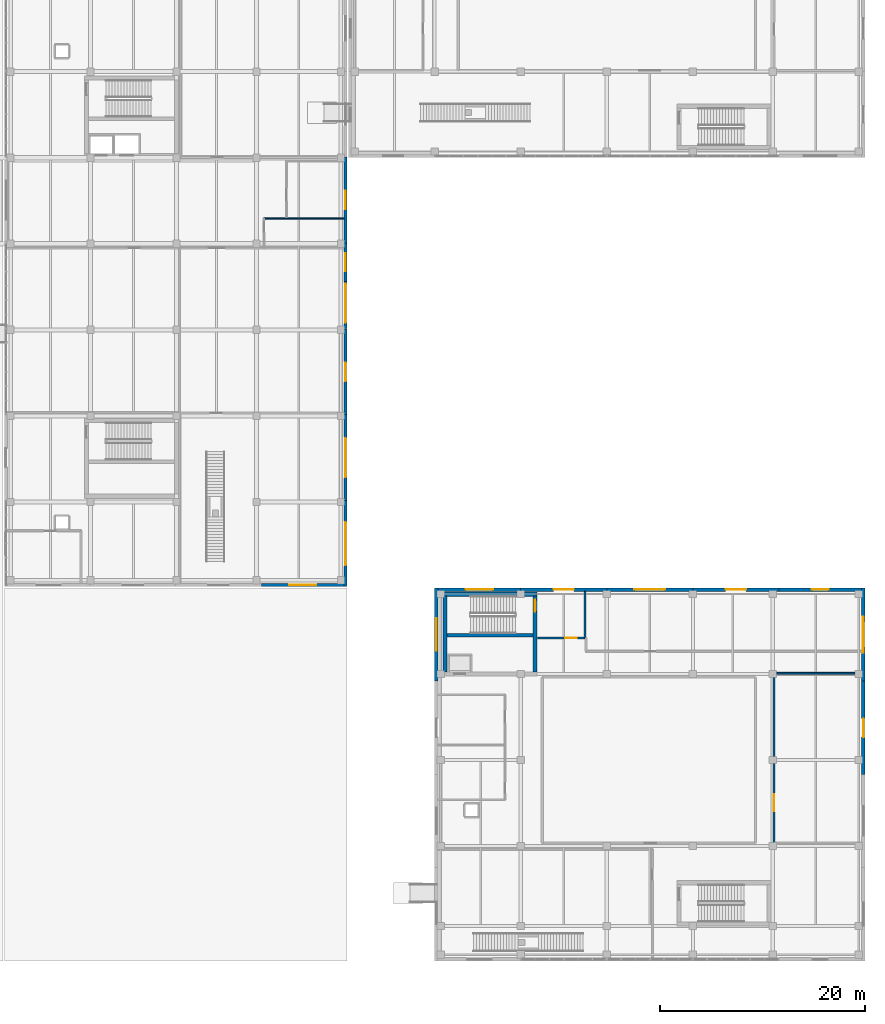
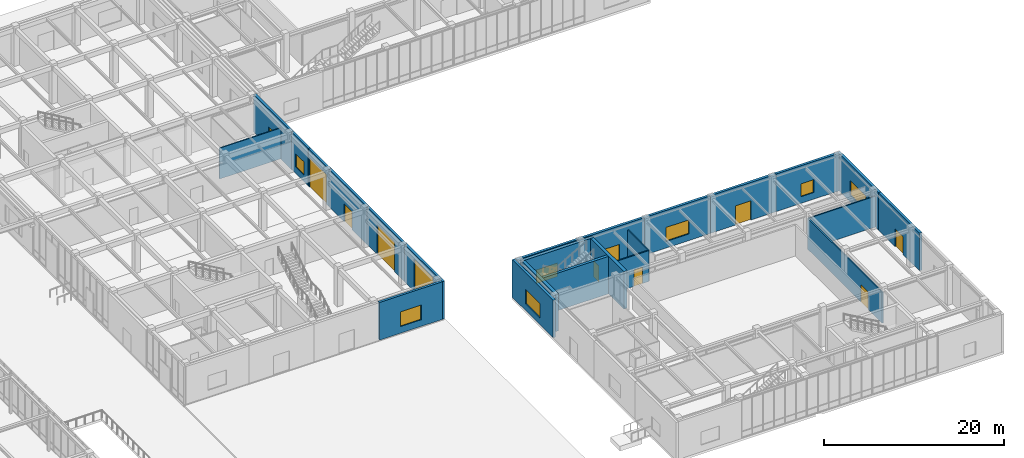
# One storey, part 101 of 122: 24 walls, 10 doors, 8 windows, 18 openings.
"""IFC4 building model written with IfcOpenShell, lengths in metres."""

from ifc_helpers import new_model, si_unit, direction, frame, frame_2d, origin, place, context, subcontext, project, spatial, rectangle, extrude, material, layer, layer_set, type_object, element, fill, save


model = new_model("IFC4")

# Units and contexts
model_context = context("Model", 3, precision=1e-05, world=origin(), true_north=direction((0.0, 1.0)))
body_context = subcontext(model_context, "Body", "Model", "MODEL_VIEW")
ifc_project = project(units=[si_unit("LENGTHUNIT", "METRE"), si_unit("AREAUNIT", "SQUARE_METRE"), si_unit("VOLUMEUNIT", "CUBIC_METRE"), si_unit("PLANEANGLEUNIT", "RADIAN"), si_unit("MASSUNIT", "GRAM", prefix="KILO")], contexts=[model_context])

# Site, building, storey
site_placement = place(None, origin())
site = spatial("IfcSite", under=ifc_project, at=site_placement, CompositionType="ELEMENT")
building_placement = place(site_placement, origin())
building = spatial("IfcBuilding", under=site, at=building_placement, Name="Zayran Congress Hotel", CompositionType="ELEMENT")
storey_placement = place(building_placement, origin())
storey = spatial("IfcBuildingStorey", under=building, at=storey_placement, Name="L00", CompositionType="ELEMENT", Elevation=0.0)

# Wall, opening, window
ifc_material_1 = material(Name="Ajlun white limestone and insulated concrete C32/40", Category="masonry")
ifc_layer_1 = layer(ifc_material_1, 0.320068359375)
ifc_layer_set_1 = layer_set([ifc_layer_1], Name="Ajlun white limestone and insulated concrete C32/40")
wall_type_1 = type_object("IfcWallType", Name="WL-EX-320", PredefinedType="SOLIDWALL", material=ifc_layer_set_1)
wall_1_placement = place(storey_placement, frame((151.52001953125, 42.239990234375, 0.0), z_axis=(0.0, 0.0, 1.0), x_axis=(1.0, 0.0, 0.0)))
wall_1 = element("IfcWall", 1, at=wall_1_placement, inside=storey, type_object=wall_type_1, Name="EW-V3-N-L00-0", PredefinedType="SOLIDWALL", context=body_context, shape_type="SweptSolid", body=[
    extrude(rectangle(XDim=8.080078125, YDim=0.320068359375, at=frame_2d((4.0400390625, 0.0))), origin(), (0.0, 0.0, 1.0), 5.10009765625),
])
opening_1_placement = place(wall_1_placement, frame((2.68994140625, 0.0, 0.89990234375)))
opening_1 = element("IfcOpeningElement", 2, at=opening_1_placement, cuts=wall_1, Name="Opening WN-04", PredefinedType="OPENING", context=body_context, shape_type="SweptSolid", body=[
    extrude(rectangle(XDim=2.699951171875, YDim=1.85009765625, at=frame_2d((1.35009765625, 0.925048828125))), frame((0.0, 0.169921875, 0.0), z_axis=(0.0, -1.0, 0.0), x_axis=(1.0, 0.0, 0.0)), (0.0, 0.0, 1.0), 0.340087890625),
])
ifc_material_2 = material(Name="Anodised aluminium and low-E insulated glass", Category="aluminium")
window_type_1 = type_object("IfcWindowType", Name="TP-WN-04", PartitioningType="TRIPLE_PANEL_VERTICAL", PredefinedType="WINDOW", material=ifc_material_2)
window_1_placement = place(opening_1_placement, origin())
window_1 = element("IfcWindow", 3, at=window_1_placement, inside=storey, type_object=window_type_1, Name="WIN-V3-0057", OverallHeight=1.85009765625, OverallWidth=2.699951171875, PartitioningType="SINGLE_PANEL", PredefinedType="WINDOW", context=body_context, shape_type="SweptSolid", body=[
    extrude(rectangle(XDim=2.699951171875, YDim=1.85009765625, at=frame_2d((1.35009765625, 0.925048828125))), frame((0.0, 0.030029296875, 0.0), z_axis=(0.0, -1.0, 0.0), x_axis=(1.0, 0.0, 0.0)), (0.0, 0.0, 1.0), 0.06005859375),
])
fill(opening_1, window_1)

# Wall, opening, door
wall_2_placement = place(storey_placement, frame((159.60009765625, 42.239990234375, 0.0), z_axis=(0.0, 0.0, 1.0), x_axis=(1.0, 0.0, 0.0)))
wall_2 = element("IfcWall", 4, at=wall_2_placement, inside=storey, type_object=wall_type_1, Name="EW-V3-N-L00-1", PredefinedType="SOLIDWALL", context=body_context, shape_type="SweptSolid", body=[
    extrude(rectangle(XDim=8.39990234375, YDim=0.320068359375, at=frame_2d((4.199951171875, 0.0))), origin(), (0.0, 0.0, 1.0), 5.10009765625),
])
opening_2_placement = place(wall_2_placement, frame((3.199951171875, 0.0, 0.0)))
opening_2 = element("IfcOpeningElement", 5, at=opening_2_placement, cuts=wall_2, Name="Opening DEX-02", PredefinedType="OPENING", context=body_context, shape_type="SweptSolid", body=[
    extrude(rectangle(XDim=2.0, YDim=2.60009765625, at=frame_2d((1.0, 1.300048828125))), frame((0.0, 0.169921875, 0.0), z_axis=(0.0, -1.0, 0.0), x_axis=(1.0, 0.0, 0.0)), (0.0, 0.0, 1.0), 0.340087890625),
])
ifc_material_3 = material(Name="Anodised aluminium glazed entrance door", Category="aluminium")
door_type_1 = type_object("IfcDoorType", Name="TP-DEX-02", OperationType="DOUBLE_DOOR_SINGLE_SWING", PredefinedType="DOOR", material=ifc_material_3)
door_1_placement = place(opening_2_placement, origin())
door_1 = element("IfcDoor", 6, at=door_1_placement, inside=storey, type_object=door_type_1, Name="V3 Exterior Entrance Door 15", OperationType="DOUBLE_DOOR_SINGLE_SWING", OverallHeight=2.60009765625, OverallWidth=2.0, PredefinedType="DOOR", context=body_context, shape_type="SweptSolid", body=[
    extrude(rectangle(XDim=2.0, YDim=2.60009765625, at=frame_2d((1.0, 1.300048828125))), frame((0.0, 0.02490234375, 0.0), z_axis=(0.0, -1.0, 0.0), x_axis=(1.0, 0.0, 0.0)), (0.0, 0.0, 1.0), 0.050048828125),
])
fill(opening_2, door_1)

# Wall, opening, window
wall_3_placement = place(storey_placement, frame((168.0, 42.239990234375, 0.0), z_axis=(0.0, 0.0, 1.0), x_axis=(1.0, 0.0, 0.0)))
wall_3 = element("IfcWall", 7, at=wall_3_placement, inside=storey, type_object=wall_type_1, Name="EW-V3-N-L00-2", PredefinedType="SOLIDWALL", context=body_context, shape_type="SweptSolid", body=[
    extrude(rectangle(XDim=8.39990234375, YDim=0.320068359375, at=frame_2d((4.199951171875, 0.0))), origin(), (0.0, 0.0, 1.0), 5.10009765625),
])
opening_3_placement = place(wall_3_placement, frame((2.699951171875, 0.0, 0.89990234375)))
opening_3 = element("IfcOpeningElement", 8, at=opening_3_placement, cuts=wall_3, Name="Opening WN-05", PredefinedType="OPENING", context=body_context, shape_type="SweptSolid", body=[
    extrude(rectangle(XDim=3.0, YDim=1.89990234375, at=frame_2d((1.5, 0.949951171875))), frame((0.0, 0.169921875, 0.0), z_axis=(0.0, -1.0, 0.0), x_axis=(1.0, 0.0, 0.0)), (0.0, 0.0, 1.0), 0.340087890625),
])
window_type_2 = type_object("IfcWindowType", Name="TP-WN-05", PartitioningType="TRIPLE_PANEL_VERTICAL", PredefinedType="WINDOW", material=ifc_material_2)
window_2_placement = place(opening_3_placement, origin())
window_2 = element("IfcWindow", 9, at=window_2_placement, inside=storey, type_object=window_type_2, Name="WIN-V3-0059", OverallHeight=1.89990234375, OverallWidth=3.0, PartitioningType="SINGLE_PANEL", PredefinedType="WINDOW", context=body_context, shape_type="SweptSolid", body=[
    extrude(rectangle(XDim=3.0, YDim=1.89990234375, at=frame_2d((1.5, 0.949951171875))), frame((0.0, 0.030029296875, 0.0), z_axis=(0.0, -1.0, 0.0), x_axis=(1.0, 0.0, 0.0)), (0.0, 0.0, 1.0), 0.06005859375),
])
fill(opening_3, window_2)

# Wall, opening, door
wall_4_placement = place(storey_placement, frame((176.39990234375, 42.239990234375, 0.0), z_axis=(0.0, 0.0, 1.0), x_axis=(1.0, 0.0, 0.0)))
wall_4 = element("IfcWall", 10, at=wall_4_placement, inside=storey, type_object=wall_type_1, Name="EW-V3-N-L00-3", PredefinedType="SOLIDWALL", context=body_context, shape_type="SweptSolid", body=[
    extrude(rectangle(XDim=8.400146484375, YDim=0.320068359375, at=frame_2d((4.2001953125, 0.0))), origin(), (0.0, 0.0, 1.0), 5.10009765625),
])
opening_4_placement = place(wall_4_placement, frame((3.199951171875, 0.0, 0.0)))
opening_4 = element("IfcOpeningElement", 11, at=opening_4_placement, cuts=wall_4, Name="Opening DEX-02", PredefinedType="OPENING", context=body_context, shape_type="SweptSolid", body=[
    extrude(rectangle(XDim=2.0, YDim=2.60009765625, at=frame_2d((1.0, 1.300048828125))), frame((0.0, 0.169921875, 0.0), z_axis=(0.0, -1.0, 0.0), x_axis=(1.0, 0.0, 0.0)), (0.0, 0.0, 1.0), 0.340087890625),
])
door_2_placement = place(opening_4_placement, origin())
door_2 = element("IfcDoor", 12, at=door_2_placement, inside=storey, type_object=door_type_1, Name="V3 Exterior Entrance Door 16", OperationType="DOUBLE_DOOR_SINGLE_SWING", OverallHeight=2.60009765625, OverallWidth=2.0, PredefinedType="DOOR", context=body_context, shape_type="SweptSolid", body=[
    extrude(rectangle(XDim=2.0, YDim=2.60009765625, at=frame_2d((1.0, 1.300048828125))), frame((0.0, 0.02490234375, 0.0), z_axis=(0.0, -1.0, 0.0), x_axis=(1.0, 0.0, 0.0)), (0.0, 0.0, 1.0), 0.050048828125),
])
fill(opening_4, door_2)

# Wall, opening, window
wall_5_placement = place(storey_placement, frame((184.800048828125, 42.239990234375, 0.0), z_axis=(0.0, 0.0, 1.0), x_axis=(1.0, 0.0, 0.0)))
wall_5 = element("IfcWall", 13, at=wall_5_placement, inside=storey, type_object=wall_type_1, Name="EW-V3-N-L00-4", PredefinedType="SOLIDWALL", context=body_context, shape_type="SweptSolid", body=[
    extrude(rectangle(XDim=8.079833984375, YDim=0.320068359375, at=frame_2d((4.0400390625, 0.0))), origin(), (0.0, 0.0, 1.0), 5.10009765625),
])
opening_5_placement = place(wall_5_placement, frame((3.215087890625, 0.0, 0.89990234375)))
opening_5 = element("IfcOpeningElement", 14, at=opening_5_placement, cuts=wall_5, Name="Opening WN-07", PredefinedType="OPENING", context=body_context, shape_type="SweptSolid", body=[
    extrude(rectangle(XDim=1.64990234375, YDim=1.75, at=frame_2d((0.824951171875, 0.875))), frame((0.0, 0.169921875, 0.0), z_axis=(0.0, -1.0, 0.0), x_axis=(1.0, 0.0, 0.0)), (0.0, 0.0, 1.0), 0.340087890625),
])
window_type_3 = type_object("IfcWindowType", Name="TP-WN-07", PartitioningType="SINGLE_PANEL", PredefinedType="WINDOW", material=ifc_material_2)
window_3_placement = place(opening_5_placement, origin())
window_3 = element("IfcWindow", 15, at=window_3_placement, inside=storey, type_object=window_type_3, Name="WIN-V3-0062", OverallHeight=1.75, OverallWidth=1.64990234375, PartitioningType="SINGLE_PANEL", PredefinedType="WINDOW", context=body_context, shape_type="SweptSolid", body=[
    extrude(rectangle(XDim=1.64990234375, YDim=1.75, at=frame_2d((0.824951171875, 0.875))), frame((0.0, 0.030029296875, 0.0), z_axis=(0.0, -1.0, 0.0), x_axis=(1.0, 0.0, 0.0)), (0.0, 0.0, 1.0), 0.06005859375),
])
fill(opening_5, window_3)

# Wall, opening, door
wall_6_placement = place(storey_placement, frame((193.0400390625, 33.300048828125, 0.0), z_axis=(0.0, 0.0, 1.0), x_axis=(0.0, -1.0, 0.0)))
wall_6 = element("IfcWall", 16, at=wall_6_placement, inside=storey, type_object=wall_type_1, Name="EW-V3-E-L00-2", PredefinedType="SOLIDWALL", context=body_context, shape_type="SweptSolid", body=[
    extrude(rectangle(XDim=9.10009765625, YDim=0.320068359375, at=frame_2d((4.550048828125, 0.0))), origin(), (0.0, 0.0, 1.0), 5.10009765625),
])
opening_6_placement = place(wall_6_placement, frame((3.64990234375, 0.0, 0.0)))
opening_6 = element("IfcOpeningElement", 17, at=opening_6_placement, cuts=wall_6, Name="Opening DEX-03", PredefinedType="OPENING", context=body_context, shape_type="SweptSolid", body=[
    extrude(rectangle(XDim=1.800048828125, YDim=2.39990234375, at=frame_2d((0.89990234375, 1.199951171875))), frame((0.0, 0.169921875, 0.0), z_axis=(0.0, -1.0, 0.0), x_axis=(1.0, 0.0, 0.0)), (0.0, 0.0, 1.0), 0.340087890625),
])
ifc_material_4 = material(Name="Painted steel fire exit door assembly", Category="steel")
door_type_2 = type_object("IfcDoorType", Name="TP-DEX-03", OperationType="DOUBLE_DOOR_SINGLE_SWING", PredefinedType="DOOR", material=ifc_material_4)
door_3_placement = place(opening_6_placement, origin())
door_3 = element("IfcDoor", 18, at=door_3_placement, inside=storey, type_object=door_type_2, Name="V3 Side Final Exit Door 18", OperationType="DOUBLE_DOOR_SINGLE_SWING", OverallHeight=2.39990234375, OverallWidth=1.800048828125, PredefinedType="DOOR", context=body_context, shape_type="SweptSolid", body=[
    extrude(rectangle(XDim=1.800048828125, YDim=2.39990234375, at=frame_2d((0.89990234375, 1.199951171875))), frame((0.0, 0.02490234375, 0.0), z_axis=(0.0, -1.0, 0.0), x_axis=(1.0, 0.0, 0.0)), (0.0, 0.0, 1.0), 0.050048828125),
])
fill(opening_6, door_3)

# Wall, opening, window
wall_7_placement = place(storey_placement, frame((151.360107421875, 33.300048828125, 0.0), z_axis=(0.0, 0.0, 1.0), x_axis=(0.0, 1.0, 0.0)))
wall_7 = element("IfcWall", 19, at=wall_7_placement, inside=storey, type_object=wall_type_1, Name="EW-V3-W-L00-3", PredefinedType="SOLIDWALL", context=body_context, shape_type="SweptSolid", body=[
    extrude(rectangle(XDim=9.099853515625, YDim=0.320068359375, at=frame_2d((4.5498046875, 0.0))), origin(), (0.0, 0.0, 1.0), 5.10009765625),
])
opening_7_placement = place(wall_7_placement, frame((2.949951171875, 0.0, 0.89990234375)))
opening_7 = element("IfcOpeningElement", 20, at=opening_7_placement, cuts=wall_7, Name="Opening WN-12", PredefinedType="OPENING", context=body_context, shape_type="SweptSolid", body=[
    extrude(rectangle(XDim=3.199951171875, YDim=1.949951171875, at=frame_2d((1.60009765625, 0.97509765625))), frame((0.0, 0.169921875, 0.0), z_axis=(0.0, -1.0, 0.0), x_axis=(1.0, 0.0, 0.0)), (0.0, 0.0, 1.0), 0.340087890625),
])
window_type_4 = type_object("IfcWindowType", Name="TP-WN-12", PartitioningType="TRIPLE_PANEL_VERTICAL", PredefinedType="WINDOW", material=ifc_material_2)
window_4_placement = place(opening_7_placement, origin())
window_4 = element("IfcWindow", 21, at=window_4_placement, inside=storey, type_object=window_type_4, Name="WIN-V3-0069", OverallHeight=1.949951171875, OverallWidth=3.199951171875, PartitioningType="SINGLE_PANEL", PredefinedType="WINDOW", context=body_context, shape_type="SweptSolid", body=[
    extrude(rectangle(XDim=3.199951171875, YDim=1.949951171875, at=frame_2d((1.60009765625, 0.97509765625))), frame((0.0, 0.030029296875, 0.0), z_axis=(0.0, -1.0, 0.0), x_axis=(1.0, 0.0, 0.0)), (0.0, 0.0, 1.0), 0.06005859375),
])
fill(opening_7, window_4)

wall_8_placement = place(storey_placement, frame((193.0400390625, 42.39990234375, 0.0), z_axis=(0.0, 0.0, 1.0), x_axis=(0.0, -1.0, 0.0)))
wall_8 = element("IfcWall", 22, at=wall_8_placement, inside=storey, type_object=wall_type_1, Name="EW-V3-E-L00-3", PredefinedType="SOLIDWALL", context=body_context, shape_type="SweptSolid", body=[
    extrude(rectangle(XDim=9.099853515625, YDim=0.320068359375, at=frame_2d((4.5498046875, 0.0))), origin(), (0.0, 0.0, 1.0), 5.10009765625),
])
opening_8_placement = place(wall_8_placement, frame((2.800048828125, 0.0, 0.89990234375)))
opening_8 = element("IfcOpeningElement", 23, at=opening_8_placement, cuts=wall_8, Name="Opening WN-13", PredefinedType="OPENING", context=body_context, shape_type="SweptSolid", body=[
    extrude(rectangle(XDim=3.5, YDim=2.0, at=frame_2d((1.75, 1.0))), frame((0.0, 0.169921875, 0.0), z_axis=(0.0, -1.0, 0.0), x_axis=(1.0, 0.0, 0.0)), (0.0, 0.0, 1.0), 0.340087890625),
])
window_type_5 = type_object("IfcWindowType", Name="TP-WN-13", PartitioningType="TRIPLE_PANEL_VERTICAL", PredefinedType="WINDOW", material=ifc_material_2)
window_5_placement = place(opening_8_placement, origin())
window_5 = element("IfcWindow", 24, at=window_5_placement, inside=storey, type_object=window_type_5, Name="WIN-V3-0070", OverallHeight=2.0, OverallWidth=3.5, PartitioningType="SINGLE_PANEL", PredefinedType="WINDOW", context=body_context, shape_type="SweptSolid", body=[
    extrude(rectangle(XDim=3.5, YDim=2.0, at=frame_2d((1.75, 1.0))), frame((0.0, 0.030029296875, 0.0), z_axis=(0.0, -1.0, 0.0), x_axis=(1.0, 0.0, 0.0)), (0.0, 0.0, 1.0), 0.06005859375),
])
fill(opening_8, window_5)

ifc_layer_2 = layer(ifc_material_1, 0.300048828125)
ifc_layer_set_2 = layer_set([ifc_layer_2], Name="Ajlun white limestone and insulated concrete C32/40")
wall_type_2 = type_object("IfcWallType", Name="WL-EX-300", PredefinedType="SOLIDWALL", material=ifc_layer_set_2)
wall_9_placement = place(storey_placement, frame((142.35009765625, 42.699951171875, 0.0), z_axis=(0.0, 0.0, 1.0), x_axis=(-1.0, 0.0, 0.0)))
wall_9 = element("IfcWall", 25, at=wall_9_placement, inside=storey, type_object=wall_type_2, Name="EW-V4-S-L00-3", PredefinedType="SOLIDWALL", context=body_context, shape_type="SweptSolid", body=[
    extrude(rectangle(XDim=8.06298828125, YDim=0.300048828125, at=frame_2d((4.031494140625, 0.0))), origin(), (0.0, 0.0, 1.0), 5.10009765625),
])
opening_9_placement = place(wall_9_placement, frame((2.70703125, 0.0, 0.89990234375)))
opening_9 = element("IfcOpeningElement", 26, at=opening_9_placement, cuts=wall_9, Name="Opening WN-43", PredefinedType="OPENING", context=body_context, shape_type="SweptSolid", body=[
    extrude(rectangle(XDim=2.64990234375, YDim=2.0, at=frame_2d((1.324951171875, 1.0))), frame((0.0, 0.159912109375, 0.0), z_axis=(0.0, -1.0, 0.0), x_axis=(1.0, 0.0, 0.0)), (0.0, 0.0, 1.0), 0.320068359375),
])
window_type_6 = type_object("IfcWindowType", Name="TP-WN-43", PartitioningType="TRIPLE_PANEL_VERTICAL", PredefinedType="WINDOW", material=ifc_material_2)
window_6_placement = place(opening_9_placement, origin())
window_6 = element("IfcWindow", 27, at=window_6_placement, inside=storey, type_object=window_type_6, Name="WIN-V4-0105", OverallHeight=2.0, OverallWidth=2.64990234375, PartitioningType="SINGLE_PANEL", PredefinedType="WINDOW", context=body_context, shape_type="SweptSolid", body=[
    extrude(rectangle(XDim=2.64990234375, YDim=2.0, at=frame_2d((1.324951171875, 1.0))), frame((0.0, 0.030029296875, 0.0), z_axis=(0.0, -1.0, 0.0), x_axis=(1.0, 0.0, 0.0)), (0.0, 0.0, 1.0), 0.06005859375),
])
fill(opening_9, window_6)

# Wall, opening, door
wall_10_placement = place(storey_placement, frame((142.5, 50.930908203125, 0.0), z_axis=(0.0, 0.0, 1.0), x_axis=(0.0, -1.0, 0.0)))
wall_10 = element("IfcWall", 28, at=wall_10_placement, inside=storey, type_object=wall_type_2, Name="EW-V4-E-L00-0", PredefinedType="SOLIDWALL", context=body_context, shape_type="SweptSolid", body=[
    extrude(rectangle(XDim=8.380859375, YDim=0.300048828125, at=frame_2d((4.1904296875, 0.0))), origin(), (0.0, 0.0, 1.0), 5.10009765625),
])
opening_10_placement = place(wall_10_placement, frame((2.091064453125, 0.0, 0.0)))
opening_10 = element("IfcOpeningElement", 29, at=opening_10_placement, cuts=wall_10, Name="Opening VG-02", PredefinedType="OPENING", context=body_context, shape_type="SweptSolid", body=[
    extrude(rectangle(XDim=4.199951171875, YDim=4.39990234375, at=frame_2d((2.10009765625, 2.199951171875))), frame((0.0, 0.159912109375, 0.0), z_axis=(0.0, -1.0, 0.0), x_axis=(1.0, 0.0, 0.0)), (0.0, 0.0, 1.0), 0.320068359375),
])
ifc_material_5 = material(Name="Galvanised steel insulated roller shutter", Category="steel")
door_type_3 = type_object("IfcDoorType", Name="TP-VG-02", OperationType="ROLLINGUP", PredefinedType="GATE", material=ifc_material_5)
door_4_placement = place(opening_10_placement, origin())
door_4 = element("IfcDoor", 30, at=door_4_placement, inside=storey, type_object=door_type_3, Name="Loading Dock Vehicle Shutter 1", OperationType="ROLLINGUP", OverallHeight=4.39990234375, OverallWidth=4.199951171875, PredefinedType="GATE", context=body_context, shape_type="SweptSolid", body=[
    extrude(rectangle(XDim=4.199951171875, YDim=4.39990234375, at=frame_2d((2.10009765625, 2.199951171875))), frame((0.0, 0.02490234375, 0.0), z_axis=(0.0, -1.0, 0.0), x_axis=(1.0, 0.0, 0.0)), (0.0, 0.0, 1.0), 0.050048828125),
])
fill(opening_10, door_4)

wall_11_placement = place(storey_placement, frame((142.5, 59.31201171875, 0.0), z_axis=(0.0, 0.0, 1.0), x_axis=(0.0, -1.0, 0.0)))
wall_11 = element("IfcWall", 31, at=wall_11_placement, inside=storey, type_object=wall_type_2, Name="EW-V4-E-L00-1", PredefinedType="SOLIDWALL", context=body_context, shape_type="SweptSolid", body=[
    extrude(rectangle(XDim=8.381103515625, YDim=0.300048828125, at=frame_2d((4.1904296875, 0.0))), origin(), (0.0, 0.0, 1.0), 5.10009765625),
])
opening_11_placement = place(wall_11_placement, frame((2.291015625, 0.0, 0.0)))
opening_11 = element("IfcOpeningElement", 32, at=opening_11_placement, cuts=wall_11, Name="Opening VG-03", PredefinedType="OPENING", context=body_context, shape_type="SweptSolid", body=[
    extrude(rectangle(XDim=3.800048828125, YDim=4.0, at=frame_2d((1.89990234375, 2.0))), frame((0.0, 0.159912109375, 0.0), z_axis=(0.0, -1.0, 0.0), x_axis=(1.0, 0.0, 0.0)), (0.0, 0.0, 1.0), 0.320068359375),
])
door_type_4 = type_object("IfcDoorType", Name="TP-VG-03", OperationType="ROLLINGUP", PredefinedType="GATE", material=ifc_material_5)
door_5_placement = place(opening_11_placement, origin())
door_5 = element("IfcDoor", 33, at=door_5_placement, inside=storey, type_object=door_type_4, Name="Loading Dock Vehicle Shutter 2", OperationType="ROLLINGUP", OverallHeight=4.0, OverallWidth=3.800048828125, PredefinedType="GATE", context=body_context, shape_type="SweptSolid", body=[
    extrude(rectangle(XDim=3.800048828125, YDim=4.0, at=frame_2d((1.89990234375, 2.0))), frame((0.0, 0.02490234375, 0.0), z_axis=(0.0, -1.0, 0.0), x_axis=(1.0, 0.0, 0.0)), (0.0, 0.0, 1.0), 0.050048828125),
])
fill(opening_11, door_5)

wall_12_placement = place(storey_placement, frame((142.5, 67.694091796875, 0.0), z_axis=(0.0, 0.0, 1.0), x_axis=(0.0, -1.0, 0.0)))
wall_12 = element("IfcWall", 34, at=wall_12_placement, inside=storey, type_object=wall_type_2, Name="EW-V4-E-L00-2", PredefinedType="SOLIDWALL", context=body_context, shape_type="SweptSolid", body=[
    extrude(rectangle(XDim=8.382080078125, YDim=0.300048828125, at=frame_2d((4.19091796875, 0.0))), origin(), (0.0, 0.0, 1.0), 5.10009765625),
])
opening_12_placement = place(wall_12_placement, frame((3.291015625, 0.0, 0.0)))
opening_12 = element("IfcOpeningElement", 35, at=opening_12_placement, cuts=wall_12, Name="Opening DEX-03", PredefinedType="OPENING", context=body_context, shape_type="SweptSolid", body=[
    extrude(rectangle(XDim=1.800048828125, YDim=2.39990234375, at=frame_2d((0.89990234375, 1.199951171875))), frame((0.0, 0.159912109375, 0.0), z_axis=(0.0, -1.0, 0.0), x_axis=(1.0, 0.0, 0.0)), (0.0, 0.0, 1.0), 0.320068359375),
])
door_6_placement = place(opening_12_placement, origin())
door_6 = element("IfcDoor", 36, at=door_6_placement, inside=storey, type_object=door_type_2, Name="V4 Side Final Exit Door 27", OperationType="DOUBLE_DOOR_SINGLE_SWING", OverallHeight=2.39990234375, OverallWidth=1.800048828125, PredefinedType="DOOR", context=body_context, shape_type="SweptSolid", body=[
    extrude(rectangle(XDim=1.800048828125, YDim=2.39990234375, at=frame_2d((0.89990234375, 1.199951171875))), frame((0.0, 0.02490234375, 0.0), z_axis=(0.0, -1.0, 0.0), x_axis=(1.0, 0.0, 0.0)), (0.0, 0.0, 1.0), 0.050048828125),
])
fill(opening_12, door_6)

# Wall, opening, window
wall_13_placement = place(storey_placement, frame((142.5, 76.074951171875, 0.0), z_axis=(0.0, 0.0, 1.0), x_axis=(0.0, -1.0, 0.0)))
wall_13 = element("IfcWall", 37, at=wall_13_placement, inside=storey, type_object=wall_type_2, Name="EW-V4-E-L00-3", PredefinedType="SOLIDWALL", context=body_context, shape_type="SweptSolid", body=[
    extrude(rectangle(XDim=3.7548828125, YDim=0.300048828125, at=frame_2d((1.87744140625, 0.0))), origin(), (0.0, 0.0, 1.0), 5.10009765625),
])
opening_13_placement = place(wall_13_placement, frame((0.97802734375, 0.0, 0.89990234375)))
opening_13 = element("IfcOpeningElement", 38, at=opening_13_placement, cuts=wall_13, Name="Opening WN-01", PredefinedType="OPENING", context=body_context, shape_type="SweptSolid", body=[
    extrude(rectangle(XDim=1.800048828125, YDim=1.800048828125, at=frame_2d((0.89990234375, 0.89990234375))), frame((0.0, 0.159912109375, 0.0), z_axis=(0.0, -1.0, 0.0), x_axis=(1.0, 0.0, 0.0)), (0.0, 0.0, 1.0), 0.320068359375),
])
window_type_7 = type_object("IfcWindowType", Name="TP-WN-01", PartitioningType="SINGLE_PANEL", PredefinedType="WINDOW", material=ifc_material_2)
window_7_placement = place(opening_13_placement, origin())
window_7 = element("IfcWindow", 39, at=window_7_placement, inside=storey, type_object=window_type_7, Name="WIN-V4-0111", OverallHeight=1.800048828125, OverallWidth=1.800048828125, PartitioningType="SINGLE_PANEL", PredefinedType="WINDOW", context=body_context, shape_type="SweptSolid", body=[
    extrude(rectangle(XDim=1.800048828125, YDim=1.800048828125, at=frame_2d((0.89990234375, 0.89990234375))), frame((0.0, 0.030029296875, 0.0), z_axis=(0.0, -1.0, 0.0), x_axis=(1.0, 0.0, 0.0)), (0.0, 0.0, 1.0), 0.06005859375),
])
fill(opening_13, window_7)

wall_14_placement = place(storey_placement, frame((142.5, 84.4560546875, 0.0), z_axis=(0.0, 0.0, 1.0), x_axis=(0.0, -1.0, 0.0)))
wall_14 = element("IfcWall", 40, at=wall_14_placement, inside=storey, type_object=wall_type_2, Name="EW-V4-E-L00-4", PredefinedType="SOLIDWALL", context=body_context, shape_type="SweptSolid", body=[
    extrude(rectangle(XDim=8.381103515625, YDim=0.300048828125, at=frame_2d((4.1904296875, 0.0))), origin(), (0.0, 0.0, 1.0), 5.10009765625),
])
opening_14_placement = place(wall_14_placement, frame((3.291015625, 0.0, 0.89990234375)))
opening_14 = element("IfcOpeningElement", 41, at=opening_14_placement, cuts=wall_14, Name="Opening WN-01", PredefinedType="OPENING", context=body_context, shape_type="SweptSolid", body=[
    extrude(rectangle(XDim=1.800048828125, YDim=1.800048828125, at=frame_2d((0.89990234375, 0.89990234375))), frame((0.0, 0.159912109375, 0.0), z_axis=(0.0, -1.0, 0.0), x_axis=(1.0, 0.0, 0.0)), (0.0, 0.0, 1.0), 0.320068359375),
])
window_8_placement = place(opening_14_placement, origin())
window_8 = element("IfcWindow", 42, at=window_8_placement, inside=storey, type_object=window_type_7, Name="WIN-V4-0113", OverallHeight=1.800048828125, OverallWidth=1.800048828125, PartitioningType="SINGLE_PANEL", PredefinedType="WINDOW", context=body_context, shape_type="SweptSolid", body=[
    extrude(rectangle(XDim=1.800048828125, YDim=1.800048828125, at=frame_2d((0.89990234375, 0.89990234375))), frame((0.0, 0.030029296875, 0.0), z_axis=(0.0, -1.0, 0.0), x_axis=(1.0, 0.0, 0.0)), (0.0, 0.0, 1.0), 0.06005859375),
])
fill(opening_14, window_8)

# Wall, opening, door
wall_15_placement = place(storey_placement, frame((142.5, 67.7099609375, 0.0), z_axis=(0.0, 0.0, 1.0), x_axis=(0.0, 1.0, 0.0)))
wall_15 = element("IfcWall", 43, at=wall_15_placement, inside=storey, type_object=wall_type_2, Name="WL-PRT-04", PredefinedType="SOLIDWALL", context=body_context, shape_type="SweptSolid", body=[
    extrude(rectangle(XDim=4.590087890625, YDim=0.300048828125, at=frame_2d((2.294921875, 0.0))), origin(), (0.0, 0.0, 1.0), 5.10009765625),
])
opening_15_placement = place(wall_15_placement, frame((0.590087890625, 0.0, 0.0)))
opening_15 = element("IfcOpeningElement", 44, at=opening_15_placement, cuts=wall_15, Name="Opening VG-03", PredefinedType="OPENING", context=body_context, shape_type="SweptSolid", body=[
    extrude(rectangle(XDim=3.800048828125, YDim=4.0, at=frame_2d((1.89990234375, 2.0))), frame((0.0, 0.159912109375, 0.0), z_axis=(0.0, -1.0, 0.0), x_axis=(1.0, 0.0, 0.0)), (0.0, 0.0, 1.0), 0.320068359375),
])
door_7_placement = place(opening_15_placement, origin())
door_7 = element("IfcDoor", 45, at=door_7_placement, inside=storey, type_object=door_type_4, Name="Kitchen Service Apron Shutter", OperationType="ROLLINGUP", OverallHeight=4.0, OverallWidth=3.800048828125, PredefinedType="GATE", context=body_context, shape_type="SweptSolid", body=[
    extrude(rectangle(XDim=3.800048828125, YDim=4.0, at=frame_2d((1.89990234375, 2.0))), frame((0.0, 0.02490234375, 0.0), z_axis=(0.0, -1.0, 0.0), x_axis=(1.0, 0.0, 0.0)), (0.0, 0.0, 1.0), 0.050048828125),
])
fill(opening_15, door_7)

# Walls
ifc_material_6 = material(Name="Concrete C40/50", Category="concrete")
ifc_layer_3 = layer(ifc_material_6, 0.39990234375)
ifc_layer_set_3 = layer_set([ifc_layer_3], Name="Concrete C40/50")
wall_type_3 = type_object("IfcWallType", Name="WL-SH-400", PredefinedType="SHEAR", material=ifc_layer_set_3)
wall_16_placement = place(storey_placement, frame((161.199951171875, 41.784912109375, 0.0), z_axis=(0.0, 0.0, 1.0), x_axis=(-1.0, 0.0, 0.0)))
element("IfcWall", 46, at=wall_16_placement, inside=storey, type_object=wall_type_3, Name="CWALL-C-V3W-L00-N", PredefinedType="SHEAR", context=body_context, shape_type="SweptSolid", body=[
    extrude(rectangle(XDim=9.199951171875, YDim=0.39990234375, at=frame_2d((4.60009765625, 0.0))), origin(), (0.0, 0.0, 1.0), 5.080078125),
])
wall_17_placement = place(storey_placement, frame((152.199951171875, 41.60009765625, 0.0), z_axis=(0.0, 0.0, 1.0), x_axis=(0.0, -1.0, 0.0)))
element("IfcWall", 47, at=wall_17_placement, inside=storey, type_object=wall_type_3, Name="CWALL-C-V3W-L00-W", PredefinedType="SHEAR", context=body_context, shape_type="SweptSolid", body=[
    extrude(rectangle(XDim=7.400146484375, YDim=0.39990234375, at=frame_2d((3.7001953125, 0.0))), origin(), (0.0, 0.0, 1.0), 5.080078125),
])

# Wall, opening, door
wall_18_placement = place(storey_placement, frame((161.0, 34.199951171875, 0.0), z_axis=(0.0, 0.0, 1.0), x_axis=(0.0, 1.0, 0.0)))
wall_18 = element("IfcWall", 48, at=wall_18_placement, inside=storey, type_object=wall_type_3, Name="CWALL-C-V3W-L00-E", PredefinedType="SHEAR", context=body_context, shape_type="SweptSolid", body=[
    extrude(rectangle(XDim=7.400146484375, YDim=0.39990234375, at=frame_2d((3.7001953125, 0.0))), origin(), (0.0, 0.0, 1.0), 5.080078125),
])
opening_16_placement = place(wall_18_placement, frame((5.89990234375, 0.0, 0.0)))
opening_16 = element("IfcOpeningElement", 49, at=opening_16_placement, cuts=wall_18, Name="Opening DR-FD-90", PredefinedType="OPENING", context=body_context, shape_type="SweptSolid", body=[
    extrude(rectangle(XDim=1.14990234375, YDim=2.199951171875, at=frame_2d((0.574951171875, 1.10009765625))), frame((0.0, 0.2099609375, 0.0), z_axis=(0.0, -1.0, 0.0), x_axis=(1.0, 0.0, 0.0)), (0.0, 0.0, 1.0), 0.419921875),
])
ifc_material_7 = material(Name="Painted steel fire door assembly", Category="steel")
door_type_5 = type_object("IfcDoorType", Name="TP-DR-FD-90", OperationType="NOTDEFINED", PredefinedType="DOOR", material=ifc_material_7)
door_8_placement = place(opening_16_placement, origin())
door_8 = element("IfcDoor", 50, at=door_8_placement, inside=storey, type_object=door_type_5, Name="ST-11 Exit Stair Door L00", OperationType="SINGLE_SWING_RIGHT", OverallHeight=2.199951171875, OverallWidth=1.14990234375, PredefinedType="DOOR", context=body_context, shape_type="SweptSolid", body=[
    extrude(rectangle(XDim=1.14990234375, YDim=2.199951171875, at=frame_2d((0.574951171875, 1.10009765625))), frame((0.0, 0.02490234375, 0.0), z_axis=(0.0, -1.0, 0.0), x_axis=(1.0, 0.0, 0.0)), (0.0, 0.0, 1.0), 0.050048828125),
])
fill(opening_16, door_8)

# Wall
ifc_layer_4 = layer(ifc_material_6, 0.35009765625)
ifc_layer_set_4 = layer_set([ifc_layer_4], Name="Concrete C40/50")
wall_type_4 = type_object("IfcWallType", Name="WL-SH-350", PredefinedType="SHEAR", material=ifc_layer_set_4)
wall_19_placement = place(storey_placement, frame((152.39990234375, 37.784912109375, 0.0), z_axis=(0.0, 0.0, 1.0), x_axis=(1.0, 0.0, 0.0)))
element("IfcWall", 51, at=wall_19_placement, inside=storey, type_object=wall_type_4, Name="CWALL-C-V3W-L00-SPN", PredefinedType="SHEAR", context=body_context, shape_type="SweptSolid", body=[
    extrude(rectangle(XDim=8.400146484375, YDim=0.35009765625, at=frame_2d((4.2001953125, 0.0))), origin(), (0.0, 0.0, 1.0), 5.080078125),
])

# Wall, opening, door
ifc_material_8 = material(Name="Acoustic twin-stud gypsum partition", Category="gypsum")
ifc_layer_5 = layer(ifc_material_8, 0.159912109375)
ifc_layer_set_5 = layer_set([ifc_layer_5], Name="Acoustic twin-stud gypsum partition")
wall_type_5 = type_object("IfcWallType", Name="WL-PT-160", PredefinedType="PARTITIONING", material=ifc_layer_set_5)
wall_20_placement = place(storey_placement, frame((161.27001953125, 37.52001953125, 0.0), z_axis=(0.0, 0.0, 1.0), x_axis=(1.0, 0.0, 0.0)))
wall_20 = element("IfcWall", 52, at=wall_20_placement, inside=storey, type_object=wall_type_5, Name="IW-L00-0402", PredefinedType="PARTITIONING", context=body_context, shape_type="SweptSolid", body=[
    extrude(rectangle(XDim=4.60986328125, YDim=0.159912109375, at=frame_2d((2.304931640625, 0.0))), origin(), (0.0, 0.0, 1.0), 4.179931640625),
])
opening_17_placement = place(wall_20_placement, frame((2.698974609375, 0.0, 0.0)))
opening_17 = element("IfcOpeningElement", 53, at=opening_17_placement, cuts=wall_20, Name="Opening DR-MT-01", PredefinedType="OPENING", context=body_context, shape_type="SweptSolid", body=[
    extrude(rectangle(XDim=1.080078125, YDim=2.25, at=frame_2d((0.5400390625, 1.125))), frame((0.0, 0.08984375, 0.0), z_axis=(0.0, -1.0, 0.0), x_axis=(1.0, 0.0, 0.0)), (0.0, 0.0, 1.0), 0.179931640625),
])
ifc_material_9 = material(Name="Acoustic timber seminar room door", Category="wood")
door_type_6 = type_object("IfcDoorType", Name="TP-DR-MT-01", OperationType="NOTDEFINED", PredefinedType="DOOR", material=ifc_material_9)
door_9_placement = place(opening_17_placement, origin())
door_9 = element("IfcDoor", 54, at=door_9_placement, inside=storey, type_object=door_type_6, Name="Protected Exit Vestibule ST-11 L00 Door", OperationType="SINGLE_SWING_LEFT", OverallHeight=2.25, OverallWidth=1.080078125, PredefinedType="DOOR", context=body_context, shape_type="SweptSolid", body=[
    extrude(rectangle(XDim=1.080078125, YDim=2.25, at=frame_2d((0.5400390625, 1.125))), frame((0.0, 0.02490234375, 0.0), z_axis=(0.0, -1.0, 0.0), x_axis=(1.0, 0.0, 0.0)), (0.0, 0.0, 1.0), 0.050048828125),
])
fill(opening_17, door_9)

wall_21_placement = place(storey_placement, frame((184.320068359375, 17.52001953125, 0.0), z_axis=(0.0, 0.0, 1.0), x_axis=(0.0, 1.0, 0.0)))
wall_21 = element("IfcWall", 55, at=wall_21_placement, inside=storey, type_object=wall_type_5, Name="IW-L00-0404", PredefinedType="PARTITIONING", context=body_context, shape_type="SweptSolid", body=[
    extrude(rectangle(XDim=16.56005859375, YDim=0.159912109375, at=frame_2d((8.280029296875, 0.0))), origin(), (0.0, 0.0, 1.0), 4.179931640625),
])
opening_18_placement = place(wall_21_placement, frame((3.091064453125, 0.0, 0.0)))
opening_18 = element("IfcOpeningElement", 56, at=opening_18_placement, cuts=wall_21, Name="Opening DR-PL-01", PredefinedType="OPENING", context=body_context, shape_type="SweptSolid", body=[
    extrude(rectangle(XDim=1.64990234375, YDim=2.35009765625, at=frame_2d((0.824951171875, 1.175048828125))), frame((0.0, 0.08984375, 0.0), z_axis=(0.0, -1.0, 0.0), x_axis=(1.0, 0.0, 0.0)), (0.0, 0.0, 1.0), 0.179931640625),
])
ifc_material_10 = material(Name="Painted steel plant room double fire door", Category="steel")
door_type_7 = type_object("IfcDoorType", Name="TP-DR-PL-01", OperationType="DOUBLE_DOOR_SINGLE_SWING", PredefinedType="DOOR", material=ifc_material_10)
door_10_placement = place(opening_18_placement, origin())
door_10 = element("IfcDoor", 57, at=door_10_placement, inside=storey, type_object=door_type_7, Name="Pool Filtration Plant Room Door", OperationType="DOUBLE_DOOR_SINGLE_SWING", OverallHeight=2.35009765625, OverallWidth=1.64990234375, PredefinedType="DOOR", context=body_context, shape_type="SweptSolid", body=[
    extrude(rectangle(XDim=1.64990234375, YDim=2.35009765625, at=frame_2d((0.824951171875, 1.175048828125))), frame((0.0, 0.02490234375, 0.0), z_axis=(0.0, -1.0, 0.0), x_axis=(1.0, 0.0, 0.0)), (0.0, 0.0, 1.0), 0.050048828125),
])
fill(opening_18, door_10)

# Walls
wall_22_placement = place(storey_placement, frame((165.8798828125, 37.52001953125, 0.0), z_axis=(0.0, 0.0, 1.0), x_axis=(0.0, 1.0, 0.0)))
element("IfcWall", 58, at=wall_22_placement, inside=storey, type_object=wall_type_5, Name="IW-L00-1677", PredefinedType="PARTITIONING", context=body_context, shape_type="SweptSolid", body=[
    extrude(rectangle(XDim=4.56005859375, YDim=0.159912109375, at=frame_2d((2.280029296875, 0.0))), origin(), (0.0, 0.0, 1.0), 4.179931640625),
])
wall_23_placement = place(storey_placement, frame((184.320068359375, 34.080078125, 0.0), z_axis=(0.0, 0.0, 1.0), x_axis=(1.0, 0.0, 0.0)))
element("IfcWall", 59, at=wall_23_placement, inside=storey, type_object=wall_type_5, Name="IW-L00-1680", PredefinedType="PARTITIONING", context=body_context, shape_type="SweptSolid", body=[
    extrude(rectangle(XDim=8.559814453125, YDim=0.159912109375, at=frame_2d((4.27978515625, 0.0))), origin(), (0.0, 0.0, 1.0), 4.179931640625),
])
ifc_material_11 = material(Name="Moisture-resistant bathroom partition", Category="gypsum")
ifc_layer_6 = layer(ifc_material_11, 0.1201171875)
ifc_layer_set_6 = layer_set([ifc_layer_6], Name="Moisture-resistant bathroom partition")
wall_type_6 = type_object("IfcWallType", Name="WL-PT-120", PredefinedType="PARTITIONING", material=ifc_layer_set_6)
wall_24_placement = place(storey_placement, frame((134.52001953125, 78.469970703125, 0.0), z_axis=(0.0, 0.0, 1.0), x_axis=(1.0, 0.0, 0.0)))
element("IfcWall", 60, at=wall_24_placement, inside=storey, type_object=wall_type_6, Name="IW-L00-1552", PredefinedType="PARTITIONING", context=body_context, shape_type="SweptSolid", body=[
    extrude(rectangle(XDim=7.830078125, YDim=0.1201171875, at=frame_2d((3.9150390625, 0.0))), origin(), (0.0, 0.0, 1.0), 4.179931640625),
])

save(model, "model.ifc")
